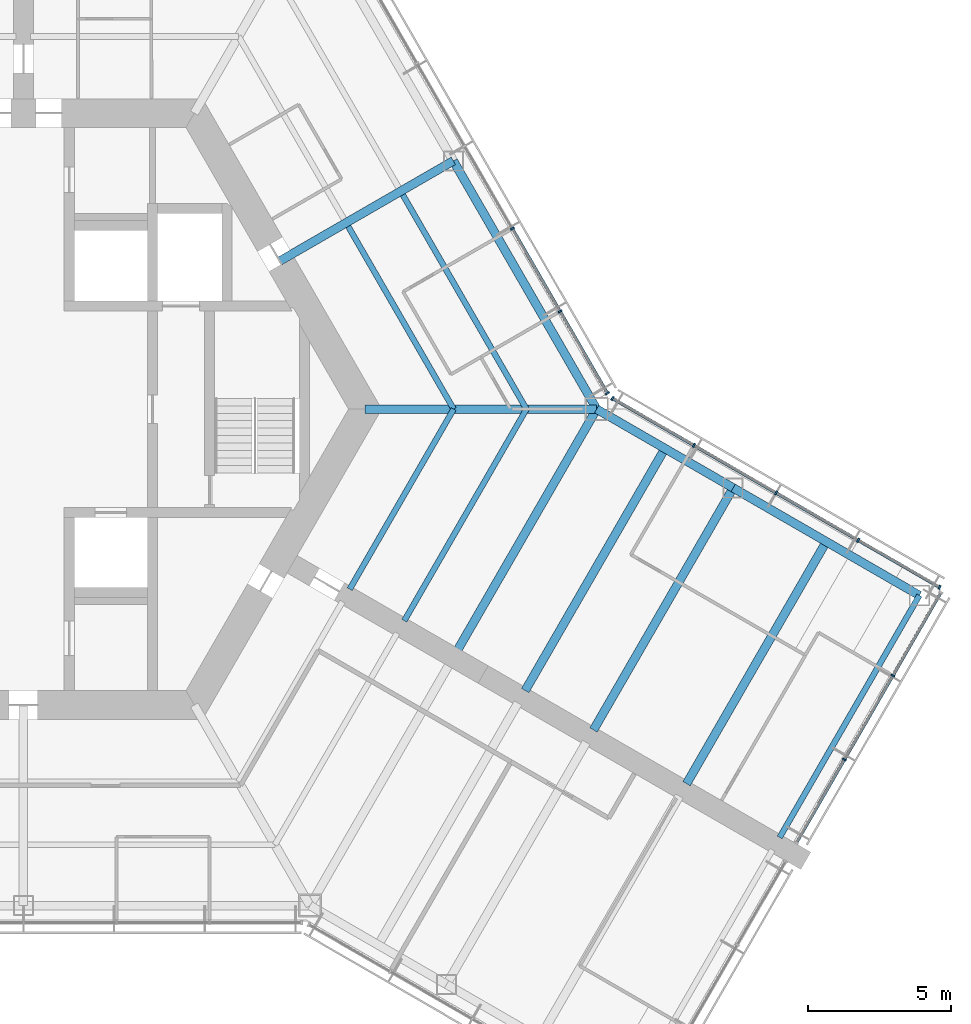
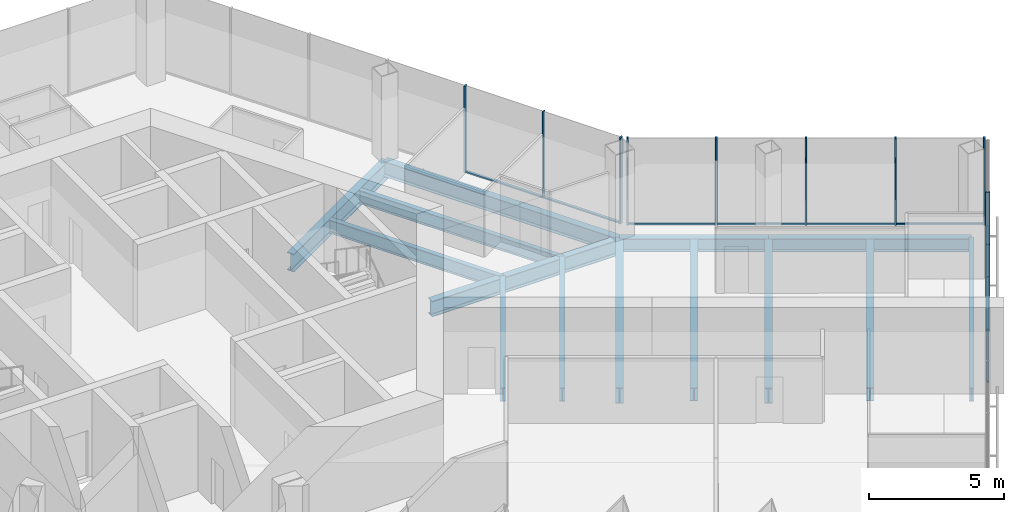
# One storey, part 6 of 18: 19 members, 14 beams, 3 elements without a shape of their own.
"""IFC4 building model written with IfcOpenShell, lengths in metres."""

from ifc_helpers import new_model, si_unit, direction, frame, origin, origin_2d, place, context, subcontext, project, spatial, rectangle, i_section, extrude, material, material_profile, profile_set, type_object, element, aggregate, save


model = new_model("IFC4")

# Units and contexts
model_context = context("Model", 3, precision=1e-05, world=origin(), true_north=direction((0.0, 1.0)))
body_context = subcontext(model_context, "Body", "Model", "MODEL_VIEW")
ifc_project = project(units=[si_unit("LENGTHUNIT", "METRE"), si_unit("AREAUNIT", "SQUARE_METRE"), si_unit("VOLUMEUNIT", "CUBIC_METRE"), si_unit("PLANEANGLEUNIT", "RADIAN"), si_unit("MASSUNIT", "GRAM", prefix="KILO")], contexts=[model_context])

# Site, building, storey
site_placement = place(None, origin())
site = spatial("IfcSite", under=ifc_project, at=site_placement, CompositionType="ELEMENT")
building_placement = place(site_placement, origin())
building = spatial("IfcBuilding", under=site, at=building_placement, Name="Kasaneha Research Tower", CompositionType="ELEMENT")
storey_placement = place(building_placement, frame((0.0, 0.0, 187.699951171875)))
storey = spatial("IfcBuildingStorey", under=building, at=storey_placement, Name="L47", CompositionType="ELEMENT", Elevation=187.699951171875)

# Beams
ifc_material_1 = material(Name="Steel SN490B", Category="steel")
ifc_material_profile_1 = material_profile(ifc_material_1, i_section(OverallWidth=0.199951171875, OverallDepth=0.60009765625, WebThickness=0.010986328125, FlangeThickness=0.01708984375, FilletRadius=0.012939453125, at=origin_2d()), Name="H-600x200x11x17")
ifc_profile_set_1 = profile_set([ifc_material_profile_1], Name="Steel SN490B")
beam_type_1 = type_object("IfcBeamType", Name="B1-3 secondary beam H-600x200x11x17", PredefinedType="JOIST", material=ifc_profile_set_1)
beam_1_placement = place(storey_placement, frame((15.010986328125, 0.0, -0.449951171875), z_axis=(-0.499994443168, 0.866028611999, 0.0), x_axis=(-0.866028611999, -0.499994443168, 0.0)))
element("IfcBeam", 1, at=beam_1_placement, inside=storey, type_object=beam_type_1, Name="Secondary beam RS030L1 L47", PredefinedType="JOIST", context=body_context, shape_type="SweptSolid", body=[
    extrude(i_section(OverallWidth=0.199951171875, OverallDepth=0.60009765625, WebThickness=0.010986328125, FlangeThickness=0.01708984375, FilletRadius=0.012939453125, at=origin_2d()), origin(), (0.0, 0.0, 1.0), 7.35546875),
])
beam_2_placement = place(storey_placement, frame((17.551513671875, 0.0, -0.449951171875), z_axis=(-0.5000050195, 0.866022505755, 0.0), x_axis=(-0.866022505755, -0.5000050195, 0.0)))
element("IfcBeam", 2, at=beam_2_placement, inside=storey, type_object=beam_type_1, Name="Secondary beam RS030L2 L47", PredefinedType="JOIST", context=body_context, shape_type="SweptSolid", body=[
    extrude(i_section(OverallWidth=0.199951171875, OverallDepth=0.60009765625, WebThickness=0.010986328125, FlangeThickness=0.01708984375, FilletRadius=0.012939453125, at=origin_2d()), origin(), (0.0, 0.0, 1.0), 8.6259765625),
])
beam_3_placement = place(storey_placement, frame((15.010986328125, 0.0, -0.449951171875), z_axis=(-0.499993340521, -0.866029248602, 0.0), x_axis=(0.866029248602, -0.499993340521, 0.0)))
element("IfcBeam", 3, at=beam_3_placement, inside=storey, type_object=beam_type_1, Name="Secondary beam RS330R1 L47", PredefinedType="JOIST", context=body_context, shape_type="SweptSolid", body=[
    extrude(i_section(OverallWidth=0.199951171875, OverallDepth=0.60009765625, WebThickness=0.010986328125, FlangeThickness=0.01708984375, FilletRadius=0.012939453125, at=origin_2d()), origin(), (0.0, 0.0, 1.0), 7.25537109375),
])
beam_4_placement = place(storey_placement, frame((17.551513671875, 0.0, -0.449951171875), z_axis=(-0.500004205306, -0.866022975836, 0.0), x_axis=(0.866022975836, -0.500004205306, 0.0)))
element("IfcBeam", 4, at=beam_4_placement, inside=storey, type_object=beam_type_1, Name="Secondary beam RS330R2 L47", PredefinedType="JOIST", context=body_context, shape_type="SweptSolid", body=[
    extrude(i_section(OverallWidth=0.199951171875, OverallDepth=0.60009765625, WebThickness=0.010986328125, FlangeThickness=0.01708984375, FilletRadius=0.012939453125, at=origin_2d()), origin(), (0.0, 0.0, 1.0), 8.52587890625),
])
ifc_material_2 = material(Name="Steel SN490B", Category="steel")
ifc_material_profile_2 = material_profile(ifc_material_2, i_section(OverallWidth=0.300048828125, OverallDepth=0.58203125, WebThickness=0.011962890625, FlangeThickness=0.01708984375, FilletRadius=0.012939453125, at=origin_2d()), Name="H-582x300x12x17")
ifc_profile_set_2 = profile_set([ifc_material_profile_2], Name="Steel SN490B")
beam_type_2 = type_object("IfcBeamType", Name="B2-3 secondary beam H-582x300x12x17", PredefinedType="JOIST", material=ifc_profile_set_2)
for number, where, z_axis, x_axis, name in (
    (5, (22.381591796875, -1.375, -0.44091796875), (-0.499995560238, -0.866027967067, 0.0), (0.866027967067, -0.499995560238, 0.0), "Secondary beam WBCN1 L47"),
    (6, (28.0107421875, -4.625, -0.44091796875), (-0.499995560238, -0.866027967067, 0.0), (0.866027967067, -0.499995560238, 0.0), "Secondary beam WBCN2 L47"),
):
    element("IfcBeam", number, at=place(storey_placement, frame(where, z_axis=z_axis, x_axis=x_axis)), inside=storey, type_object=beam_type_2, Name=name, PredefinedType="JOIST", context=body_context, shape_type="SweptSolid", body=[
        extrude(i_section(OverallWidth=0.300048828125, OverallDepth=0.58203125, WebThickness=0.011962890625, FlangeThickness=0.01708984375, FilletRadius=0.012939453125, at=origin_2d()), origin(), (0.0, 0.0, 1.0), 9.75),
    ])

# Curtain wall, members
ifc_material_3 = material(Name="Glass and aluminium", Category="aluminium")
curtain_wall_type = type_object("IfcCurtainWallType", Name="Mid-rise office curtain wall", PredefinedType="USERDEFINED", material=ifc_material_3)
curtain_wall_1_placement = place(storey_placement, origin())
curtain_wall_1 = element("IfcCurtainWall", 7, at=curtain_wall_1_placement, inside=storey, type_object=curtain_wall_type, Name="CW-O2 L47 run 04a", ObjectType="UNITISED CURTAIN WALL", PredefinedType="USERDEFINED")
ifc_material_4 = material(Name="Aluminium 6063-T6", Category="aluminium")
ifc_material_profile_3 = material_profile(ifc_material_4, rectangle(XDim=0.06005859375, YDim=0.14990234375, at=origin_2d()), Name="CW-O2 mullion 60x150")
ifc_profile_set_3 = profile_set([ifc_material_profile_3], Name="Aluminium 6063-T6")
member_type_1 = type_object("IfcMemberType", Name="CW-O2 mullion", PredefinedType="MULLION", material=ifc_profile_set_3)
member_1_placement = place(storey_placement, frame((28.64453125, -12.22705078125, 0.0), z_axis=(0.0, 0.0, 1.0), x_axis=(0.500000011442, 0.866025397178, 0.0)))
member_1 = element("IfcMember", 8, at=member_1_placement, type_object=member_type_1, Name="CW-O2 mullion 2", PredefinedType="MULLION", context=body_context, shape_type="SweptSolid", body=[
    extrude(rectangle(XDim=0.06005859375, YDim=0.14990234375, at=origin_2d()), origin(), (0.0, 0.0, 1.0), 3.900146484375),
])
member_2_placement = place(storey_placement, frame((30.336181640625, -9.297119140625, 0.0), z_axis=(0.0, 0.0, 1.0), x_axis=(0.500000011442, 0.866025397178, 0.0)))
member_2 = element("IfcMember", 9, at=member_2_placement, type_object=member_type_1, Name="CW-O2 mullion 3", PredefinedType="MULLION", context=body_context, shape_type="SweptSolid", body=[
    extrude(rectangle(XDim=0.06005859375, YDim=0.14990234375, at=origin_2d()), origin(), (0.0, 0.0, 1.0), 3.900146484375),
])

curtain_wall_2_placement = place(storey_placement, origin())
curtain_wall_2 = element("IfcCurtainWall", 10, at=curtain_wall_2_placement, inside=storey, type_object=curtain_wall_type, Name="CW-O2 L47 run 05a", ObjectType="UNITISED CURTAIN WALL", PredefinedType="USERDEFINED")
member_3_placement = place(storey_placement, frame((31.96533203125, -6.21533203125, 0.0), z_axis=(0.0, 0.0, 1.0), x_axis=(-0.866025411464, 0.499999986699, 0.0)))
member_3 = element("IfcMember", 11, at=member_3_placement, type_object=member_type_1, Name="CW-O2 mullion 1", PredefinedType="MULLION", context=body_context, shape_type="SweptSolid", body=[
    extrude(rectangle(XDim=0.06005859375, YDim=0.14990234375, at=origin_2d()), origin(), (0.0, 0.0, 1.0), 3.900146484375),
])
member_4_placement = place(storey_placement, frame((29.125, -4.575439453125, 0.0), z_axis=(0.0, 0.0, 1.0), x_axis=(-0.866025411464, 0.499999986699, 0.0)))
member_4 = element("IfcMember", 12, at=member_4_placement, type_object=member_type_1, Name="CW-O2 mullion 2", PredefinedType="MULLION", context=body_context, shape_type="SweptSolid", body=[
    extrude(rectangle(XDim=0.06005859375, YDim=0.14990234375, at=origin_2d()), origin(), (0.0, 0.0, 1.0), 3.900146484375),
])
member_5_placement = place(storey_placement, frame((26.258544921875, -2.920654296875, 0.0), z_axis=(0.0, 0.0, 1.0), x_axis=(-0.866025411464, 0.499999986699, 0.0)))
member_5 = element("IfcMember", 13, at=member_5_placement, type_object=member_type_1, Name="CW-O2 mullion 3", PredefinedType="MULLION", context=body_context, shape_type="SweptSolid", body=[
    extrude(rectangle(XDim=0.06005859375, YDim=0.14990234375, at=origin_2d()), origin(), (0.0, 0.0, 1.0), 3.900146484375),
])
member_6_placement = place(storey_placement, frame((23.39208984375, -1.265625, 0.0), z_axis=(0.0, 0.0, 1.0), x_axis=(-0.866025411464, 0.499999986699, 0.0)))
member_6 = element("IfcMember", 14, at=member_6_placement, type_object=member_type_1, Name="CW-O2 mullion 4", PredefinedType="MULLION", context=body_context, shape_type="SweptSolid", body=[
    extrude(rectangle(XDim=0.06005859375, YDim=0.14990234375, at=origin_2d()), origin(), (0.0, 0.0, 1.0), 3.900146484375),
])
member_7_placement = place(storey_placement, frame((20.5517578125, 0.374267578125, 0.0), z_axis=(0.0, 0.0, 1.0), x_axis=(-0.866025411464, 0.499999986699, 0.0)))
member_7 = element("IfcMember", 15, at=member_7_placement, type_object=member_type_1, Name="CW-O2 mullion 5", PredefinedType="MULLION", context=body_context, shape_type="SweptSolid", body=[
    extrude(rectangle(XDim=0.06005859375, YDim=0.14990234375, at=origin_2d()), origin(), (0.0, 0.0, 1.0), 3.900146484375),
])

curtain_wall_3_placement = place(storey_placement, origin())
curtain_wall_3 = element("IfcCurtainWall", 16, at=curtain_wall_3_placement, inside=storey, type_object=curtain_wall_type, Name="CW-O2 L47 run 06a", ObjectType="UNITISED CURTAIN WALL", PredefinedType="USERDEFINED")
member_8_placement = place(storey_placement, frame((20.374267578125, 0.5517578125, 0.0), z_axis=(0.0, 0.0, 1.0), x_axis=(-0.499999979232, 0.866025415775, 0.0)))
member_8 = element("IfcMember", 17, at=member_8_placement, type_object=member_type_1, Name="CW-O2 mullion 1", PredefinedType="MULLION", context=body_context, shape_type="SweptSolid", body=[
    extrude(rectangle(XDim=0.06005859375, YDim=0.14990234375, at=origin_2d()), origin(), (0.0, 0.0, 1.0), 3.900146484375),
])
member_9_placement = place(storey_placement, frame((18.723876953125, 3.410400390625, 0.0), z_axis=(0.0, 0.0, 1.0), x_axis=(-0.499999979232, 0.866025415775, 0.0)))
member_9 = element("IfcMember", 18, at=member_9_placement, type_object=member_type_1, Name="CW-O2 mullion 2", PredefinedType="MULLION", context=body_context, shape_type="SweptSolid", body=[
    extrude(rectangle(XDim=0.06005859375, YDim=0.14990234375, at=origin_2d()), origin(), (0.0, 0.0, 1.0), 3.900146484375),
])
member_10_placement = place(storey_placement, frame((17.058349609375, 6.295166015625, 0.0), z_axis=(0.0, 0.0, 1.0), x_axis=(-0.499999979232, 0.866025415775, 0.0)))
member_10 = element("IfcMember", 19, at=member_10_placement, type_object=member_type_1, Name="CW-O2 mullion 3", PredefinedType="MULLION", context=body_context, shape_type="SweptSolid", body=[
    extrude(rectangle(XDim=0.06005859375, YDim=0.14990234375, at=origin_2d()), origin(), (0.0, 0.0, 1.0), 3.900146484375),
])

# Member
ifc_material_5 = material(Name="Aluminium 6063-T6", Category="aluminium")
ifc_material_profile_4 = material_profile(ifc_material_5, rectangle(XDim=0.110107421875, YDim=0.06005859375, at=origin_2d()), Name="CW-O2 transom 110x60")
ifc_profile_set_4 = profile_set([ifc_material_profile_4], Name="Aluminium 6063-T6")
member_type_2 = type_object("IfcMemberType", Name="CW-O2 transom", PredefinedType="USERDEFINED", material=ifc_profile_set_4)
member_11_placement = place(storey_placement, frame((26.98291015625, -15.105224609375, 0.030029296875), z_axis=(0.500021914551, 0.866012751043, 0.0), x_axis=(-0.866012751043, 0.500021914551, 0.0)))
member_11 = element("IfcMember", 20, at=member_11_placement, type_object=member_type_2, Name="CW-O2 transom 1", ObjectType="TRANSOM", PredefinedType="USERDEFINED", context=body_context, shape_type="SweptSolid", body=[
    extrude(rectangle(XDim=0.110107421875, YDim=0.06005859375, at=origin_2d()), origin(), (0.0, 0.0, 1.0), 3.293212890625),
])

member_12_placement = place(storey_placement, frame((28.65966796875, -12.201171875, 0.030029296875), z_axis=(0.499978935311, 0.866037565146, 0.0), x_axis=(-0.866037565146, 0.499978935311, 0.0)))
member_12 = element("IfcMember", 21, at=member_12_placement, type_object=member_type_2, Name="CW-O2 transom 2", ObjectType="TRANSOM", PredefinedType="USERDEFINED", context=body_context, shape_type="SweptSolid", body=[
    extrude(rectangle(XDim=0.110107421875, YDim=0.06005859375, at=origin_2d()), origin(), (0.0, 0.0, 1.0), 3.323486328125),
])

member_13_placement = place(storey_placement, frame((30.351318359375, -9.27099609375, 0.030029296875), z_axis=(0.500021914551, 0.866012751043, 0.0), x_axis=(-0.866012751043, 0.500021914551, 0.0)))
member_13 = element("IfcMember", 22, at=member_13_placement, type_object=member_type_2, Name="CW-O2 transom 3", ObjectType="TRANSOM", PredefinedType="USERDEFINED", context=body_context, shape_type="SweptSolid", body=[
    extrude(rectangle(XDim=0.110107421875, YDim=0.06005859375, at=origin_2d()), origin(), (0.0, 0.0, 1.0), 3.293212890625),
])

aggregate(curtain_wall_1, [member_1, member_2, member_11, member_12, member_13])

member_14_placement = place(storey_placement, frame((31.939453125, -6.200439453125, 0.030029296875), z_axis=(-0.866041647767, 0.499971863542, 0.0), x_axis=(-0.499971863542, -0.866041647767, 0.0)))
member_14 = element("IfcMember", 23, at=member_14_placement, type_object=member_type_2, Name="CW-O2 transom 1", ObjectType="TRANSOM", PredefinedType="USERDEFINED", context=body_context, shape_type="SweptSolid", body=[
    extrude(rectangle(XDim=0.110107421875, YDim=0.06005859375, at=origin_2d()), origin(), (0.0, 0.0, 1.0), 3.219970703125),
])

member_15_placement = place(storey_placement, frame((29.098876953125, -4.560546875, 0.030029296875), z_axis=(-0.86599666273, 0.500049777664, 0.0), x_axis=(-0.500049777664, -0.86599666273, 0.0)))
member_15 = element("IfcMember", 24, at=member_15_placement, type_object=member_type_2, Name="CW-O2 transom 2", ObjectType="TRANSOM", PredefinedType="USERDEFINED", context=body_context, shape_type="SweptSolid", body=[
    extrude(rectangle(XDim=0.110107421875, YDim=0.06005859375, at=origin_2d()), origin(), (0.0, 0.0, 1.0), 3.249755859375),
])

member_16_placement = place(storey_placement, frame((26.232666015625, -2.905517578125, 0.030029296875), z_axis=(-0.86604797581, 0.499960902066, 0.0), x_axis=(-0.499960902066, -0.86604797581, 0.0)))
member_16 = element("IfcMember", 25, at=member_16_placement, type_object=member_type_2, Name="CW-O2 transom 3", ObjectType="TRANSOM", PredefinedType="USERDEFINED", context=body_context, shape_type="SweptSolid", body=[
    extrude(rectangle(XDim=0.110107421875, YDim=0.06005859375, at=origin_2d()), origin(), (0.0, 0.0, 1.0), 3.249755859375),
])

member_17_placement = place(storey_placement, frame((23.3662109375, -1.250732421875, 0.030029296875), z_axis=(-0.866022692473, 0.500004696101, 0.0), x_axis=(-0.500004696101, -0.866022692473, 0.0)))
member_17 = element("IfcMember", 26, at=member_17_placement, type_object=member_type_2, Name="CW-O2 transom 4", ObjectType="TRANSOM", PredefinedType="USERDEFINED", context=body_context, shape_type="SweptSolid", body=[
    extrude(rectangle(XDim=0.110107421875, YDim=0.06005859375, at=origin_2d()), origin(), (0.0, 0.0, 1.0), 3.2197265625),
])

aggregate(curtain_wall_2, [member_3, member_4, member_5, member_6, member_7, member_14, member_15, member_16, member_17])

member_18_placement = place(storey_placement, frame((20.359130859375, 0.577880859375, 0.030029296875), z_axis=(-0.499987643696, 0.866032537582, 0.0), x_axis=(-0.866032537582, -0.499987643696, 0.0)))
member_18 = element("IfcMember", 27, at=member_18_placement, type_object=member_type_2, Name="CW-O2 transom 1", ObjectType="TRANSOM", PredefinedType="USERDEFINED", context=body_context, shape_type="SweptSolid", body=[
    extrude(rectangle(XDim=0.110107421875, YDim=0.06005859375, at=origin_2d()), origin(), (0.0, 0.0, 1.0), 3.24072265625),
])

member_19_placement = place(storey_placement, frame((18.708740234375, 3.4365234375, 0.030029296875), z_axis=(-0.500000270186, 0.866025247793, 0.0), x_axis=(-0.866025247793, -0.500000270186, 0.0)))
member_19 = element("IfcMember", 28, at=member_19_placement, type_object=member_type_2, Name="CW-O2 transom 2", ObjectType="TRANSOM", PredefinedType="USERDEFINED", context=body_context, shape_type="SweptSolid", body=[
    extrude(rectangle(XDim=0.110107421875, YDim=0.06005859375, at=origin_2d()), origin(), (0.0, 0.0, 1.0), 3.27099609375),
])

aggregate(curtain_wall_3, [member_8, member_9, member_10, member_18, member_19])

# Beams
ifc_material_6 = material(Name="Steel SN490B", Category="steel")
ifc_material_profile_5 = material_profile(ifc_material_6, i_section(OverallWidth=0.300048828125, OverallDepth=0.699951171875, WebThickness=0.012939453125, FlangeThickness=0.02392578125, FilletRadius=0.01806640625, at=origin_2d()), Name="H-700x300x13x24")
ifc_profile_set_5 = profile_set([ifc_material_profile_5], Name="Steel SN490B")
beam_type_3 = type_object("IfcBeamType", Name="G1-3 radial girder H-700x300x13x24", PredefinedType="BEAM", material=ifc_profile_set_5)
beam_5_placement = place(storey_placement, frame((11.92236328125, 0.0, -0.5), z_axis=(1.0, 0.0, 0.0), x_axis=(0.0, 1.0, 0.0)))
element("IfcBeam", 29, at=beam_5_placement, inside=storey, type_object=beam_type_3, Name="Radial girder RV000 L47", PredefinedType="BEAM", context=body_context, shape_type="SweptSolid", body=[
    extrude(i_section(OverallWidth=0.300048828125, OverallDepth=0.699951171875, WebThickness=0.012939453125, FlangeThickness=0.02392578125, FilletRadius=0.01806640625, at=origin_2d()), origin(), (0.0, 0.0, 1.0), 8.07763671875),
])
ifc_material_7 = material(Name="Steel SN490B", Category="steel")
ifc_material_profile_6 = material_profile(ifc_material_7, i_section(OverallWidth=0.300048828125, OverallDepth=0.800048828125, WebThickness=0.013916015625, FlangeThickness=0.02587890625, FilletRadius=0.01806640625, at=origin_2d()), Name="H-800x300x14x26")
ifc_profile_set_6 = profile_set([ifc_material_profile_6], Name="Steel SN490B")
beam_type_4 = type_object("IfcBeamType", Name="G2-3 radial girder H-800x300x14x26", PredefinedType="BEAM", material=ifc_profile_set_6)
beam_6_placement = place(storey_placement, frame((8.941650390625, 5.16259765625, -0.550048828125), z_axis=(0.866039713508, 0.499975214012, 0.0), x_axis=(-0.499975214012, 0.866039713508, 0.0)))
element("IfcBeam", 30, at=beam_6_placement, inside=storey, type_object=beam_type_4, Name="Radial girder RM030 L47", PredefinedType="BEAM", context=body_context, shape_type="SweptSolid", body=[
    extrude(i_section(OverallWidth=0.300048828125, OverallDepth=0.800048828125, WebThickness=0.013916015625, FlangeThickness=0.02587890625, FilletRadius=0.01806640625, at=origin_2d()), origin(), (0.0, 0.0, 1.0), 6.995361328125),
])
ifc_material_8 = material(Name="Steel SN490B", Category="steel")
ifc_material_profile_7 = material_profile(ifc_material_8, i_section(OverallWidth=0.300048828125, OverallDepth=0.69189453125, WebThickness=0.012939453125, FlangeThickness=0.02001953125, FilletRadius=0.01806640625, at=origin_2d()), Name="H-692x300x13x20")
ifc_profile_set_7 = profile_set([ifc_material_profile_7], Name="Steel SN490B")
beam_type_5 = type_object("IfcBeamType", Name="G3-3 plate edge girder H-692x300x13x20", PredefinedType="BEAM", material=ifc_profile_set_7)
beam_7_placement = place(storey_placement, frame((20.0, 0.0, -0.495849609375), z_axis=(-0.499995560238, -0.866027967067, 0.0), x_axis=(0.866027967067, -0.499995560238, 0.0)))
element("IfcBeam", 31, at=beam_7_placement, inside=storey, type_object=beam_type_5, Name="Plate edge girder PECN L47", PredefinedType="BEAM", context=body_context, shape_type="SweptSolid", body=[
    extrude(i_section(OverallWidth=0.300048828125, OverallDepth=0.69189453125, WebThickness=0.012939453125, FlangeThickness=0.02001953125, FilletRadius=0.01806640625, at=origin_2d()), origin(), (0.0, 0.0, 1.0), 9.75),
])
ifc_material_9 = material(Name="Steel SN490B", Category="steel")
ifc_material_profile_8 = material_profile(ifc_material_9, i_section(OverallWidth=0.300048828125, OverallDepth=0.699951171875, WebThickness=0.012939453125, FlangeThickness=0.02392578125, FilletRadius=0.01806640625, at=origin_2d()), Name="H-700x300x13x24")
ifc_profile_set_8 = profile_set([ifc_material_profile_8], Name="Steel SN490B")
beam_type_6 = type_object("IfcBeamType", Name="G4-3 wing girder H-700x300x13x24", PredefinedType="BEAM", material=ifc_profile_set_8)
beam_8_placement = place(storey_placement, frame((24.76318359375, -2.75, -0.5), z_axis=(-0.499995560238, -0.866027967067, 0.0), x_axis=(0.866027967067, -0.499995560238, 0.0)))
element("IfcBeam", 32, at=beam_8_placement, inside=storey, type_object=beam_type_6, Name="Wing girder WGCN L47", PredefinedType="BEAM", context=body_context, shape_type="SweptSolid", body=[
    extrude(i_section(OverallWidth=0.300048828125, OverallDepth=0.699951171875, WebThickness=0.012939453125, FlangeThickness=0.02392578125, FilletRadius=0.01806640625, at=origin_2d()), origin(), (0.0, 0.0, 1.0), 9.75),
])
ifc_material_10 = material(Name="Steel SN490B", Category="steel")
ifc_material_profile_9 = material_profile(ifc_material_10, i_section(OverallWidth=0.300048828125, OverallDepth=0.69189453125, WebThickness=0.012939453125, FlangeThickness=0.02001953125, FilletRadius=0.01806640625, at=origin_2d()), Name="H-692x300x13x20")
ifc_profile_set_9 = profile_set([ifc_material_profile_9], Name="Steel SN490B")
beam_type_7 = type_object("IfcBeamType", Name="SB1-3 spandrel beam H-692x300x13x20", PredefinedType="SPANDREL", material=ifc_profile_set_9)
beam_9_placement = place(storey_placement, frame((20.0, 0.0, -0.495849609375), z_axis=(-0.500004234368, 0.866022959057, 0.0), x_axis=(-0.866022959057, -0.500004234368, 0.0)))
element("IfcBeam", 33, at=beam_9_placement, inside=storey, type_object=beam_type_7, Name="Spandrel beam SR030L L47", PredefinedType="SPANDREL", context=body_context, shape_type="SweptSolid", body=[
    extrude(i_section(OverallWidth=0.300048828125, OverallDepth=0.69189453125, WebThickness=0.012939453125, FlangeThickness=0.02001953125, FilletRadius=0.01806640625, at=origin_2d()), origin(), (0.0, 0.0, 1.0), 10.0),
])
ifc_material_11 = material(Name="Steel SN490B", Category="steel")
ifc_material_profile_10 = material_profile(ifc_material_11, i_section(OverallWidth=0.300048828125, OverallDepth=0.58203125, WebThickness=0.011962890625, FlangeThickness=0.01708984375, FilletRadius=0.012939453125, at=origin_2d()), Name="H-582x300x12x17")
ifc_profile_set_10 = profile_set([ifc_material_profile_10], Name="Steel SN490B")
beam_type_8 = type_object("IfcBeamType", Name="SB2-3 spandrel beam H-582x300x12x17", PredefinedType="SPANDREL", material=ifc_profile_set_10)
beam_10_placement = place(storey_placement, frame((20.0, 0.0, -0.44091796875), z_axis=(0.866027397988, -0.499996545922, 0.0), x_axis=(0.499996545922, 0.866027397988, 0.0)))
element("IfcBeam", 34, at=beam_10_placement, inside=storey, type_object=beam_type_8, Name="Spandrel beam WSCN1 L47", PredefinedType="SPANDREL", context=body_context, shape_type="SweptSolid", body=[
    extrude(i_section(OverallWidth=0.300048828125, OverallDepth=0.58203125, WebThickness=0.011962890625, FlangeThickness=0.01708984375, FilletRadius=0.012939453125, at=origin_2d()), origin(), (0.0, 0.0, 1.0), 5.5),
])
beam_11_placement = place(storey_placement, frame((24.76318359375, -2.75, -0.44091796875), z_axis=(0.866022959057, -0.500004234368, 0.0), x_axis=(0.500004234368, 0.866022959057, 0.0)))
element("IfcBeam", 35, at=beam_11_placement, inside=storey, type_object=beam_type_8, Name="Spandrel beam WSCN2 L47", PredefinedType="SPANDREL", context=body_context, shape_type="SweptSolid", body=[
    extrude(i_section(OverallWidth=0.300048828125, OverallDepth=0.58203125, WebThickness=0.011962890625, FlangeThickness=0.01708984375, FilletRadius=0.012939453125, at=origin_2d()), origin(), (0.0, 0.0, 1.0), 7.5),
])
ifc_material_12 = material(Name="Steel SN490B", Category="steel")
ifc_material_profile_11 = material_profile(ifc_material_12, i_section(OverallWidth=0.199951171875, OverallDepth=0.60009765625, WebThickness=0.010986328125, FlangeThickness=0.01708984375, FilletRadius=0.012939453125, at=origin_2d()), Name="H-600x200x11x17")
ifc_profile_set_11 = profile_set([ifc_material_profile_11], Name="Steel SN490B")
beam_type_9 = type_object("IfcBeamType", Name="SB3-3 spandrel beam H-600x200x11x17", PredefinedType="SPANDREL", material=ifc_profile_set_11)
beam_12_placement = place(storey_placement, frame((31.25830078125, -6.5, -0.449951171875), z_axis=(-0.499995560238, -0.866027967067, 0.0), x_axis=(0.866027967067, -0.499995560238, 0.0)))
element("IfcBeam", 36, at=beam_12_placement, inside=storey, type_object=beam_type_9, Name="Spandrel beam WTCN L47", PredefinedType="SPANDREL", context=body_context, shape_type="SweptSolid", body=[
    extrude(i_section(OverallWidth=0.199951171875, OverallDepth=0.60009765625, WebThickness=0.010986328125, FlangeThickness=0.01708984375, FilletRadius=0.012939453125, at=origin_2d()), origin(), (0.0, 0.0, 1.0), 9.75),
])

save(model, "model.ifc")
